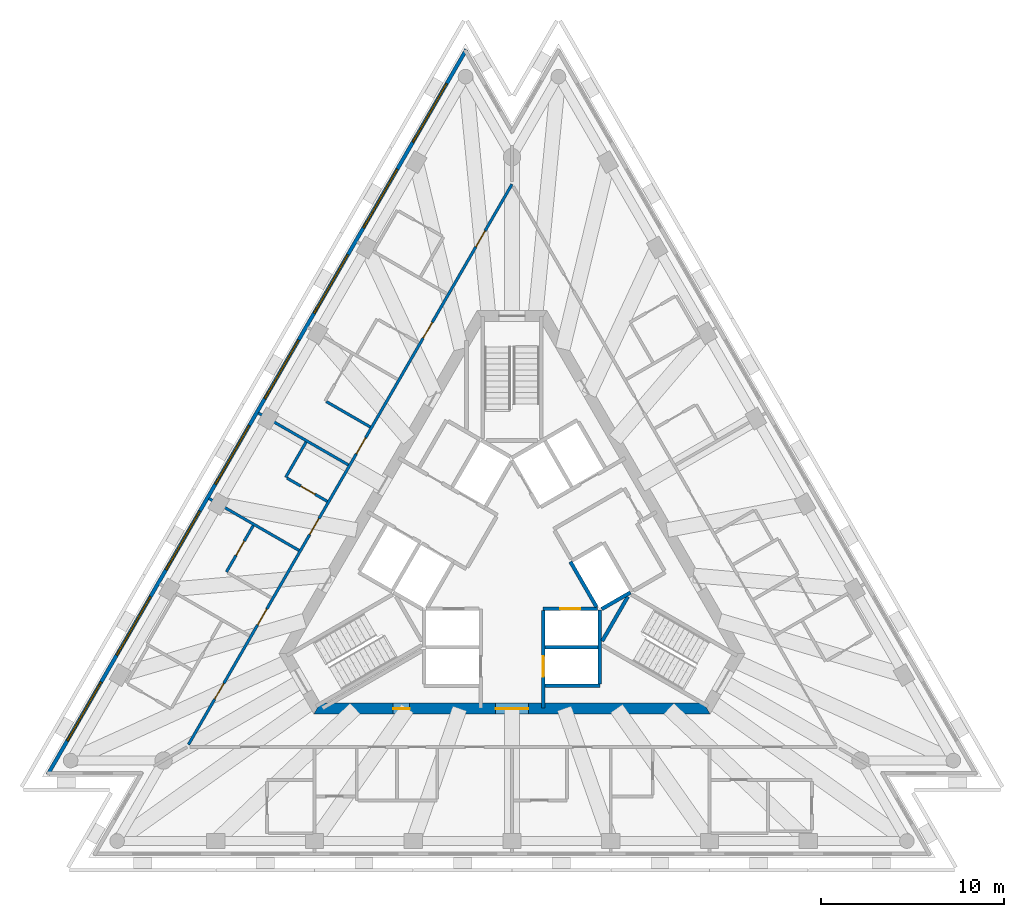
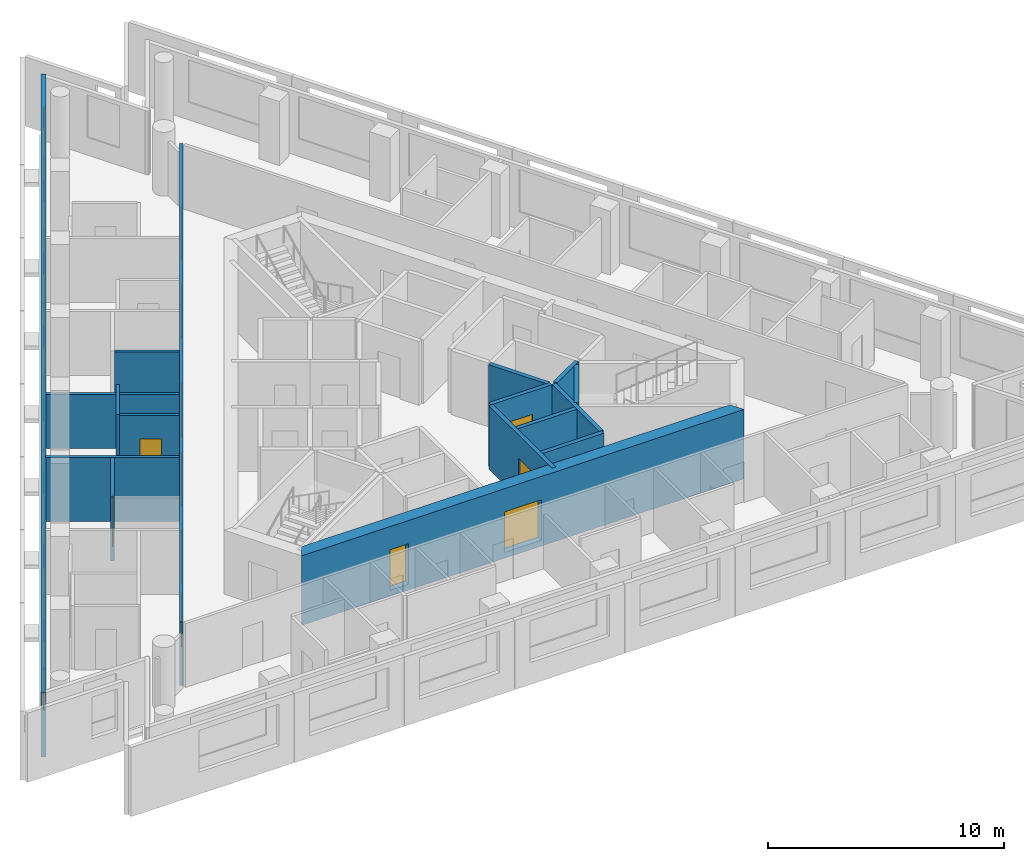
# One storey, part 4 of 10: 17 walls, 12 doors, 8 windows, 20 openings.
"""IFC4 building model written with IfcOpenShell, lengths in metres."""

from ifc_helpers import new_model, si_unit, direction, frame, frame_2d, origin, place, context, subcontext, project, spatial, polyline, rectangle, outline, extrude, material, layer, layer_set, layer_usage, type_object, element, fill, save


model = new_model("IFC4")

# Units and contexts
model_context = context("Model", 3, precision=1e-05, world=origin(), true_north=direction((0.0, 1.0)))
body_context = subcontext(model_context, "Body", "Model", "MODEL_VIEW")
ifc_project = project(units=[si_unit("LENGTHUNIT", "METRE"), si_unit("AREAUNIT", "SQUARE_METRE"), si_unit("VOLUMEUNIT", "CUBIC_METRE"), si_unit("PLANEANGLEUNIT", "RADIAN"), si_unit("MASSUNIT", "GRAM", prefix="KILO")], contexts=[model_context])

# Site, building, storey
site_placement = place(None, origin())
site = spatial("IfcSite", under=ifc_project, at=site_placement, CompositionType="ELEMENT")
building_placement = place(site_placement, origin())
building = spatial("IfcBuilding", under=site, at=building_placement, Name="Triada Interchange Tower", CompositionType="ELEMENT")
storey_placement = place(building_placement, frame((0.0, 0.0, 289.89990234375)))
storey = spatial("IfcBuildingStorey", under=building, at=storey_placement, Name="L68", CompositionType="ELEMENT", Elevation=289.89990234375)

# Walls
ifc_material_1 = material(Name="Concrete C30/37", Category="concrete")
ifc_layer_1 = layer(ifc_material_1, 0.199951171875)
ifc_layer_set_1 = layer_set([ifc_layer_1], Name="CORE WALL 200 EI 120")
wall_type_1 = type_object("IfcWallType", Name="CORE WALL 200 EI 120", PredefinedType="SOLIDWALL", material=ifc_layer_set_1)
wall_1_placement = place(storey_placement, frame((1.800048828125, -6.89990234375, 0.0), z_axis=(0.0, 0.0, 1.0), x_axis=(1.0, 0.0, 0.0)))
element("IfcWall", 1, at=wall_1_placement, inside=storey, type_object=wall_type_1, Name="Wall L68 69", PredefinedType="SOLIDWALL", context=body_context, shape_type="SweptSolid", body=[
    extrude(rectangle(XDim=3.0, YDim=0.199951171875, at=frame_2d((1.5, 0.0))), origin(), (0.0, 0.0, 1.0), 3.300048828125),
])
wall_2_placement = place(storey_placement, frame((1.800048828125, -4.800048828125, 0.0), z_axis=(0.0, 0.0, 1.0), x_axis=(1.0, 0.0, 0.0)))
element("IfcWall", 2, at=wall_2_placement, inside=storey, type_object=wall_type_1, Name="Wall L68 73", PredefinedType="SOLIDWALL", context=body_context, shape_type="SweptSolid", body=[
    extrude(rectangle(XDim=2.89990234375, YDim=0.199951171875, at=frame_2d((1.449951171875, 0.0))), origin(), (0.0, 0.0, 1.0), 3.300048828125),
])

# Wall, opening, door
wall_3_placement = place(storey_placement, frame((1.702880859375, -2.699951171875, 0.0), z_axis=(0.0, 0.0, 1.0), x_axis=(1.0, 0.0, 0.0)))
wall_3 = element("IfcWall", 3, at=wall_3_placement, inside=storey, type_object=wall_type_1, Name="Wall L68 76", PredefinedType="SOLIDWALL", context=body_context, shape_type="SweptSolid", body=[
    extrude(rectangle(XDim=2.97314453125, YDim=0.199951171875, at=frame_2d((1.486572265625, 0.0))), origin(), (0.0, 0.0, 1.0), 3.300048828125),
])
opening_1_placement = place(wall_3_placement, frame((0.93603515625, 0.0, 0.0)))
opening_1 = element("IfcOpeningElement", 4, at=opening_1_placement, cuts=wall_3, Name="Opening LD-HR1", PredefinedType="OPENING", context=body_context, shape_type="SweptSolid", body=[
    extrude(rectangle(XDim=1.10009765625, YDim=2.10009765625, at=frame_2d((0.550048828125, 1.050048828125))), frame((0.0, 0.10986328125, 0.0), z_axis=(0.0, -1.0, 0.0), x_axis=(1.0, 0.0, 0.0)), (0.0, 0.0, 1.0), 0.219970703125),
])
ifc_material_2 = material(Name="Steel S235 door leaf", Category="steel")
door_type_1 = type_object("IfcDoorType", Name="LIFT LANDING DOOR 1100 EI 120", OperationType="SLIDING_TO_LEFT", PredefinedType="DOOR", material=ifc_material_2)
door_1_placement = place(opening_1_placement, origin())
door_1 = element("IfcDoor", 5, at=door_1_placement, inside=storey, type_object=door_type_1, Name="HR1 landing door L68", OperationType="SLIDING_TO_LEFT", OverallHeight=2.10009765625, OverallWidth=1.10009765625, PredefinedType="DOOR", context=body_context, shape_type="SweptSolid", body=[
    extrude(rectangle(XDim=1.10009765625, YDim=2.10009765625, at=frame_2d((0.550048828125, 1.050048828125))), frame((0.0, 0.02490234375, 0.0), z_axis=(0.0, -1.0, 0.0), x_axis=(1.0, 0.0, 0.0)), (0.0, 0.0, 1.0), 0.050048828125),
])
fill(opening_1, door_1)

# Wall
wall_4_placement = place(storey_placement, frame((3.18994140625, -0.125, 0.0), z_axis=(0.0, 0.0, 1.0), x_axis=(0.499988658015, -0.866031951983, 0.0)))
element("IfcWall", 6, at=wall_4_placement, inside=storey, type_object=wall_type_1, Name="Wall L68 79", PredefinedType="SOLIDWALL", context=body_context, shape_type="SweptSolid", body=[
    extrude(rectangle(XDim=2.85791015625, YDim=0.199951171875, at=frame_2d((1.428955078125, 0.0))), origin(), (0.0, 0.0, 1.0), 3.300048828125),
])

# Wall, opening, door
wall_5_placement = place(storey_placement, frame((1.699951171875, -8.1298828125, 0.0), z_axis=(0.0, 0.0, 1.0), x_axis=(0.0, 1.0, 0.0)))
wall_5 = element("IfcWall", 7, at=wall_5_placement, inside=storey, type_object=wall_type_1, Name="Wall L68 81", PredefinedType="SOLIDWALL", context=body_context, shape_type="SweptSolid", body=[
    extrude(rectangle(XDim=5.326904296875, YDim=0.199951171875, at=frame_2d((2.66357421875, 0.0))), origin(), (0.0, 0.0, 1.0), 3.300048828125),
])
opening_2_placement = place(wall_5_placement, frame((1.72998046875, 0.0, 0.0)))
opening_2 = element("IfcOpeningElement", 8, at=opening_2_placement, cuts=wall_5, Name="Opening LD-HR2", PredefinedType="OPENING", context=body_context, shape_type="SweptSolid", body=[
    extrude(rectangle(XDim=1.10009765625, YDim=2.10009765625, at=frame_2d((0.550048828125, 1.050048828125))), frame((0.0, 0.10986328125, 0.0), z_axis=(0.0, -1.0, 0.0), x_axis=(1.0, 0.0, 0.0)), (0.0, 0.0, 1.0), 0.219970703125),
])
door_2_placement = place(opening_2_placement, origin())
door_2 = element("IfcDoor", 9, at=door_2_placement, inside=storey, type_object=door_type_1, Name="HR2 landing door L68", OperationType="SLIDING_TO_LEFT", OverallHeight=2.10009765625, OverallWidth=1.10009765625, PredefinedType="DOOR", context=body_context, shape_type="SweptSolid", body=[
    extrude(rectangle(XDim=1.10009765625, YDim=2.10009765625, at=frame_2d((0.550048828125, 1.050048828125))), frame((0.0, 0.02490234375, 0.0), z_axis=(0.0, -1.0, 0.0), x_axis=(1.0, 0.0, 0.0)), (0.0, 0.0, 1.0), 0.050048828125),
])
fill(opening_2, door_2)

# Walls
wall_6_placement = place(storey_placement, frame((4.800048828125, -6.800048828125, 0.0), z_axis=(0.0, 0.0, 1.0), x_axis=(0.0, 1.0, 0.0)))
element("IfcWall", 10, at=wall_6_placement, inside=storey, type_object=wall_type_1, Name="Wall L68 82", PredefinedType="SOLIDWALL", context=body_context, shape_type="SweptSolid", body=[
    extrude(rectangle(XDim=4.029052734375, YDim=0.199951171875, at=frame_2d((2.0146484375, 0.0))), origin(), (0.0, 0.0, 1.0), 3.300048828125),
])
wall_7_placement = place(storey_placement, frame((4.89990234375, -2.714111328125, 0.0), z_axis=(0.0, 0.0, 1.0), x_axis=(0.865846928409, 0.500309001083, 0.0)))
element("IfcWall", 11, at=wall_7_placement, inside=storey, type_object=wall_type_1, Name="Wall L68 91", PredefinedType="SOLIDWALL", context=body_context, shape_type="SweptSolid", body=[
    extrude(rectangle(XDim=1.813232421875, YDim=0.199951171875, at=frame_2d((0.90673828125, 0.0))), origin(), (0.0, 0.0, 1.0), 3.300048828125),
])
ifc_layer_2 = layer(ifc_material_1, 0.199951171875)
ifc_layer_set_2 = layer_set([ifc_layer_2], Name="CORE WALL 200 REI 240")
wall_type_2 = type_object("IfcWallType", Name="CORE WALL 200 REI 240", PredefinedType="SOLIDWALL", material=ifc_layer_set_2)
wall_8_placement = place(storey_placement, frame((4.928955078125, -4.4619140625, 0.0), z_axis=(0.0, 0.0, 1.0), x_axis=(0.500200581029, 0.865909567298, 0.0)))
element("IfcWall", 12, at=wall_8_placement, inside=storey, type_object=wall_type_2, Name="Wall L68 119", PredefinedType="SOLIDWALL", context=body_context, shape_type="SweptSolid", body=[
    extrude(rectangle(XDim=2.799072265625, YDim=0.199951171875, at=frame_2d((1.3994140625, 0.0))), origin(), (0.0, 0.0, 1.0), 3.300048828125),
])

# Wall, openings, doors
ifc_material_3 = material(Name="Concrete C40/50", Category="concrete")
ifc_layer_3 = layer(ifc_material_3, 0.60009765625)
ifc_layer_set_3 = layer_set([ifc_layer_3], Name="Core wall D 600")
wall_type_3 = type_object("IfcWallType", Name="Core wall D 600", PredefinedType="SHEAR", material=ifc_layer_set_3)
wall_9_placement = place(storey_placement, frame((-10.652099609375, -8.14990234375, -0.2998046875), z_axis=(0.0, 0.0, 1.0), x_axis=(1.0, 0.0, 0.0)))
wall_9 = element("IfcWall", 13, at=wall_9_placement, inside=storey, type_object=wall_type_3, Name="Core wall WD04 L68", PredefinedType="SHEAR", context=body_context, shape_type="SweptSolid", body=[
    extrude(outline(polyline([(-0.173095703125, -0.300048828125), (1.795166015625, -0.300048828125), (3.76318359375, -0.300048828125), (5.7314453125, -0.300048828125), (7.69970703125, -0.300048828125), (9.66796875, -0.300048828125), (11.635986328125, -0.300048828125), (13.604248046875, -0.300048828125), (15.572509765625, -0.300048828125), (17.540771484375, -0.300048828125), (19.5087890625, -0.300048828125), (21.47705078125, -0.300048828125), (21.131103515625, 0.300048828125), (19.225830078125, 0.300048828125), (17.320556640625, 0.300048828125), (15.415283203125, 0.300048828125), (13.510009765625, 0.300048828125), (11.604736328125, 0.300048828125), (9.699462890625, 0.300048828125), (7.794189453125, 0.300048828125), (5.888916015625, 0.300048828125), (3.983642578125, 0.300048828125), (2.078369140625, 0.300048828125), (0.173095703125, 0.300048828125), (-0.173095703125, -0.300048828125)])), origin(), (0.0, 0.0, 1.0), 3.599853515625),
])
opening_3_placement = place(wall_9_placement, frame((9.751953125, 0.0, 0.300048828125)))
opening_3 = element("IfcOpeningElement", 14, at=opening_3_placement, cuts=wall_9, Name="Opening D68-47", PredefinedType="OPENING", context=body_context, shape_type="SweptSolid", body=[
    extrude(rectangle(XDim=1.800048828125, YDim=2.10009765625, at=frame_2d((0.89990234375, 1.050048828125))), frame((0.0, 0.31005859375, 0.0), z_axis=(0.0, -1.0, 0.0), x_axis=(1.0, 0.0, 0.0)), (0.0, 0.0, 1.0), 0.6201171875),
])
opening_4_placement = place(wall_9_placement, frame((4.156005859375, 0.0, 0.300048828125)))
opening_4 = element("IfcOpeningElement", 15, at=opening_4_placement, cuts=wall_9, Name="Opening D68-53", PredefinedType="OPENING", context=body_context, shape_type="SweptSolid", body=[
    extrude(rectangle(XDim=0.89990234375, YDim=2.10009765625, at=frame_2d((0.449951171875, 1.050048828125))), frame((0.0, 0.31005859375, 0.0), z_axis=(0.0, -1.0, 0.0), x_axis=(1.0, 0.0, 0.0)), (0.0, 0.0, 1.0), 0.6201171875),
])
door_type_2 = type_object("IfcDoorType", Name="LOBBY DOOR 1800 EI2 90-C5S200", OperationType="DOUBLE_DOOR_SINGLE_SWING", PredefinedType="DOOR", material=ifc_material_2)
door_3_placement = place(opening_3_placement, origin())
door_3 = element("IfcDoor", 16, at=door_3_placement, inside=storey, type_object=door_type_2, Name="Door D68-47 L68", OperationType="DOUBLE_DOOR_SINGLE_SWING", OverallHeight=2.10009765625, OverallWidth=1.800048828125, PredefinedType="DOOR", context=body_context, shape_type="SweptSolid", body=[
    extrude(rectangle(XDim=1.800048828125, YDim=2.10009765625, at=frame_2d((0.89990234375, 1.050048828125))), frame((0.0, 0.02490234375, 0.0), z_axis=(0.0, -1.0, 0.0), x_axis=(1.0, 0.0, 0.0)), (0.0, 0.0, 1.0), 0.050048828125),
])
fill(opening_3, door_3)
door_type_3 = type_object("IfcDoorType", Name="SERVICE DOOR 900 EI2 45-C5S200", OperationType="NOTDEFINED", PredefinedType="DOOR", material=ifc_material_2)
door_4_placement = place(opening_4_placement, origin())
door_4 = element("IfcDoor", 17, at=door_4_placement, inside=storey, type_object=door_type_3, Name="Door D68-53 L68", OperationType="SINGLE_SWING_RIGHT", OverallHeight=2.10009765625, OverallWidth=0.89990234375, PredefinedType="DOOR", context=body_context, shape_type="SweptSolid", body=[
    extrude(rectangle(XDim=0.89990234375, YDim=2.10009765625, at=frame_2d((0.449951171875, 1.050048828125))), frame((0.0, 0.02490234375, 0.0), z_axis=(0.0, -1.0, 0.0), x_axis=(1.0, 0.0, 0.0)), (0.0, 0.0, 1.0), 0.050048828125),
])
fill(opening_4, door_4)

# Wall, openings, windows
ifc_material_4 = material(Name="Cement board")
ifc_layer_4 = layer(ifc_material_4, 0.02001953125, Name="Cement board cladding")
ifc_material_5 = material(Name="Sheathing board")
ifc_layer_5 = layer(ifc_material_5, 0.014892578125, Name="Sheathing board")
ifc_material_6 = material(Name="Mineral wool")
ifc_layer_6 = layer(ifc_material_6, 0.14990234375, Name="Mineral wool between steel studs")
ifc_material_7 = material(Name="Gypsum board")
ifc_layer_7 = layer(ifc_material_7, 0.014892578125, Name="Plasterboard lining")
ifc_layer_set_4 = layer_set([ifc_layer_4, ifc_layer_5, ifc_layer_6, ifc_layer_7], Name="External wall 200")
ifc_layer_usage = layer_usage(ifc_layer_set_4, "AXIS2", "POSITIVE", -0.10009765625)
wall_type_4 = type_object("IfcWallType", Name="External wall 200", PredefinedType="ELEMENTEDWALL", material=ifc_layer_set_4)
wall_10_placement = place(storey_placement, frame((-2.493896484375, 27.860107421875, 0.0), z_axis=(0.0, 0.0, 1.0), x_axis=(-0.500008134474, -0.866020707292, 0.0)))
wall_10 = element("IfcWall", 18, at=wall_10_placement, inside=storey, type_object=wall_type_4, material=ifc_layer_usage, Name="External wall L68 NW", PredefinedType="ELEMENTEDWALL", context=body_context, shape_type="SweptSolid", body=[
    extrude(rectangle(XDim=45.741455078125, YDim=0.199951171875, at=frame_2d((22.87060546875, 0.0))), origin(), (0.0, 0.0, 1.0), 3.300048828125),
])
opening_5_placement = place(wall_10_placement, frame((2.14990234375, 0.0, 0.89990234375)))
opening_5 = element("IfcOpeningElement", 19, at=opening_5_placement, cuts=wall_10, Name="Opening WD01", PredefinedType="OPENING", context=body_context, shape_type="SweptSolid", body=[
    extrude(rectangle(XDim=3.699951171875, YDim=2.199951171875, at=frame_2d((1.85009765625, 1.10009765625))), frame((0.0, 0.10986328125, 0.0), z_axis=(0.0, -1.0, 0.0), x_axis=(1.0, 0.0, 0.0)), (0.0, 0.0, 1.0), 0.219970703125),
])
opening_6_placement = place(wall_10_placement, frame((7.5439453125, 0.0, 0.89990234375)))
opening_6 = element("IfcOpeningElement", 20, at=opening_6_placement, cuts=wall_10, Name="Opening WD02", PredefinedType="OPENING", context=body_context, shape_type="SweptSolid", body=[
    extrude(rectangle(XDim=3.699951171875, YDim=2.199951171875, at=frame_2d((1.85009765625, 1.10009765625))), frame((0.0, 0.10986328125, 0.0), z_axis=(0.0, -1.0, 0.0), x_axis=(1.0, 0.0, 0.0)), (0.0, 0.0, 1.0), 0.219970703125),
])
opening_7_placement = place(wall_10_placement, frame((12.93896484375, 0.0, 0.89990234375)))
opening_7 = element("IfcOpeningElement", 21, at=opening_7_placement, cuts=wall_10, Name="Opening WD03", PredefinedType="OPENING", context=body_context, shape_type="SweptSolid", body=[
    extrude(rectangle(XDim=3.699951171875, YDim=2.199951171875, at=frame_2d((1.85009765625, 1.10009765625))), frame((0.0, 0.10986328125, 0.0), z_axis=(0.0, -1.0, 0.0), x_axis=(1.0, 0.0, 0.0)), (0.0, 0.0, 1.0), 0.219970703125),
])
opening_8_placement = place(wall_10_placement, frame((18.3330078125, 0.0, 0.89990234375)))
opening_8 = element("IfcOpeningElement", 22, at=opening_8_placement, cuts=wall_10, Name="Opening WD04", PredefinedType="OPENING", context=body_context, shape_type="SweptSolid", body=[
    extrude(rectangle(XDim=3.699951171875, YDim=2.199951171875, at=frame_2d((1.85009765625, 1.10009765625))), frame((0.0, 0.10986328125, 0.0), z_axis=(0.0, -1.0, 0.0), x_axis=(1.0, 0.0, 0.0)), (0.0, 0.0, 1.0), 0.219970703125),
])
opening_9_placement = place(wall_10_placement, frame((23.72802734375, 0.0, 0.89990234375)))
opening_9 = element("IfcOpeningElement", 23, at=opening_9_placement, cuts=wall_10, Name="Opening WD05", PredefinedType="OPENING", context=body_context, shape_type="SweptSolid", body=[
    extrude(rectangle(XDim=3.699951171875, YDim=2.199951171875, at=frame_2d((1.85009765625, 1.10009765625))), frame((0.0, 0.10986328125, 0.0), z_axis=(0.0, -1.0, 0.0), x_axis=(1.0, 0.0, 0.0)), (0.0, 0.0, 1.0), 0.219970703125),
])
opening_10_placement = place(wall_10_placement, frame((29.1220703125, 0.0, 0.89990234375)))
opening_10 = element("IfcOpeningElement", 24, at=opening_10_placement, cuts=wall_10, Name="Opening WD06", PredefinedType="OPENING", context=body_context, shape_type="SweptSolid", body=[
    extrude(rectangle(XDim=3.699951171875, YDim=2.199951171875, at=frame_2d((1.85009765625, 1.10009765625))), frame((0.0, 0.10986328125, 0.0), z_axis=(0.0, -1.0, 0.0), x_axis=(1.0, 0.0, 0.0)), (0.0, 0.0, 1.0), 0.219970703125),
])
opening_11_placement = place(wall_10_placement, frame((34.51708984375, 0.0, 0.89990234375)))
opening_11 = element("IfcOpeningElement", 25, at=opening_11_placement, cuts=wall_10, Name="Opening WD07", PredefinedType="OPENING", context=body_context, shape_type="SweptSolid", body=[
    extrude(rectangle(XDim=3.699951171875, YDim=2.199951171875, at=frame_2d((1.85009765625, 1.10009765625))), frame((0.0, 0.10986328125, 0.0), z_axis=(0.0, -1.0, 0.0), x_axis=(1.0, 0.0, 0.0)), (0.0, 0.0, 1.0), 0.219970703125),
])
opening_12_placement = place(wall_10_placement, frame((39.910888671875, 0.0, 0.89990234375)))
opening_12 = element("IfcOpeningElement", 26, at=opening_12_placement, cuts=wall_10, Name="Opening WD08", PredefinedType="OPENING", context=body_context, shape_type="SweptSolid", body=[
    extrude(rectangle(XDim=3.699951171875, YDim=2.199951171875, at=frame_2d((1.85009765625, 1.10009765625))), frame((0.0, 0.10986328125, 0.0), z_axis=(0.0, -1.0, 0.0), x_axis=(1.0, 0.0, 0.0)), (0.0, 0.0, 1.0), 0.219970703125),
])
ifc_material_8 = material(Name="Double glazed aluminium window", Category="aluminium")
window_type = type_object("IfcWindowType", Name="Ribbon window D face", PartitioningType="SINGLE_PANEL", PredefinedType="WINDOW", material=ifc_material_8)
window_1_placement = place(opening_5_placement, origin())
window_1 = element("IfcWindow", 27, at=window_1_placement, inside=storey, type_object=window_type, Name="Window L68 NW 1", OverallHeight=2.199951171875, OverallWidth=3.699951171875, PartitioningType="SINGLE_PANEL", PredefinedType="WINDOW", context=body_context, shape_type="SweptSolid", body=[
    extrude(rectangle(XDim=3.699951171875, YDim=2.199951171875, at=frame_2d((1.85009765625, 1.10009765625))), frame((0.0, 0.030029296875, 0.0), z_axis=(0.0, -1.0, 0.0), x_axis=(1.0, 0.0, 0.0)), (0.0, 0.0, 1.0), 0.06005859375),
])
fill(opening_5, window_1)
window_2_placement = place(opening_6_placement, origin())
window_2 = element("IfcWindow", 28, at=window_2_placement, inside=storey, type_object=window_type, Name="Window L68 NW 2", OverallHeight=2.199951171875, OverallWidth=3.699951171875, PartitioningType="SINGLE_PANEL", PredefinedType="WINDOW", context=body_context, shape_type="SweptSolid", body=[
    extrude(rectangle(XDim=3.699951171875, YDim=2.199951171875, at=frame_2d((1.85009765625, 1.10009765625))), frame((0.0, 0.030029296875, 0.0), z_axis=(0.0, -1.0, 0.0), x_axis=(1.0, 0.0, 0.0)), (0.0, 0.0, 1.0), 0.06005859375),
])
fill(opening_6, window_2)
window_3_placement = place(opening_7_placement, origin())
window_3 = element("IfcWindow", 29, at=window_3_placement, inside=storey, type_object=window_type, Name="Window L68 NW 3", OverallHeight=2.199951171875, OverallWidth=3.699951171875, PartitioningType="SINGLE_PANEL", PredefinedType="WINDOW", context=body_context, shape_type="SweptSolid", body=[
    extrude(rectangle(XDim=3.699951171875, YDim=2.199951171875, at=frame_2d((1.85009765625, 1.10009765625))), frame((0.0, 0.030029296875, 0.0), z_axis=(0.0, -1.0, 0.0), x_axis=(1.0, 0.0, 0.0)), (0.0, 0.0, 1.0), 0.06005859375),
])
fill(opening_7, window_3)
window_4_placement = place(opening_8_placement, origin())
window_4 = element("IfcWindow", 30, at=window_4_placement, inside=storey, type_object=window_type, Name="Window L68 NW 4", OverallHeight=2.199951171875, OverallWidth=3.699951171875, PartitioningType="SINGLE_PANEL", PredefinedType="WINDOW", context=body_context, shape_type="SweptSolid", body=[
    extrude(rectangle(XDim=3.699951171875, YDim=2.199951171875, at=frame_2d((1.85009765625, 1.10009765625))), frame((0.0, 0.030029296875, 0.0), z_axis=(0.0, -1.0, 0.0), x_axis=(1.0, 0.0, 0.0)), (0.0, 0.0, 1.0), 0.06005859375),
])
fill(opening_8, window_4)
window_5_placement = place(opening_9_placement, origin())
window_5 = element("IfcWindow", 31, at=window_5_placement, inside=storey, type_object=window_type, Name="Window L68 NW 5", OverallHeight=2.199951171875, OverallWidth=3.699951171875, PartitioningType="SINGLE_PANEL", PredefinedType="WINDOW", context=body_context, shape_type="SweptSolid", body=[
    extrude(rectangle(XDim=3.699951171875, YDim=2.199951171875, at=frame_2d((1.85009765625, 1.10009765625))), frame((0.0, 0.030029296875, 0.0), z_axis=(0.0, -1.0, 0.0), x_axis=(1.0, 0.0, 0.0)), (0.0, 0.0, 1.0), 0.06005859375),
])
fill(opening_9, window_5)
window_6_placement = place(opening_10_placement, origin())
window_6 = element("IfcWindow", 32, at=window_6_placement, inside=storey, type_object=window_type, Name="Window L68 NW 6", OverallHeight=2.199951171875, OverallWidth=3.699951171875, PartitioningType="SINGLE_PANEL", PredefinedType="WINDOW", context=body_context, shape_type="SweptSolid", body=[
    extrude(rectangle(XDim=3.699951171875, YDim=2.199951171875, at=frame_2d((1.85009765625, 1.10009765625))), frame((0.0, 0.030029296875, 0.0), z_axis=(0.0, -1.0, 0.0), x_axis=(1.0, 0.0, 0.0)), (0.0, 0.0, 1.0), 0.06005859375),
])
fill(opening_10, window_6)
window_7_placement = place(opening_11_placement, origin())
window_7 = element("IfcWindow", 33, at=window_7_placement, inside=storey, type_object=window_type, Name="Window L68 NW 7", OverallHeight=2.199951171875, OverallWidth=3.699951171875, PartitioningType="SINGLE_PANEL", PredefinedType="WINDOW", context=body_context, shape_type="SweptSolid", body=[
    extrude(rectangle(XDim=3.699951171875, YDim=2.199951171875, at=frame_2d((1.85009765625, 1.10009765625))), frame((0.0, 0.030029296875, 0.0), z_axis=(0.0, -1.0, 0.0), x_axis=(1.0, 0.0, 0.0)), (0.0, 0.0, 1.0), 0.06005859375),
])
fill(opening_11, window_7)
window_8_placement = place(opening_12_placement, origin())
window_8 = element("IfcWindow", 34, at=window_8_placement, inside=storey, type_object=window_type, Name="Window L68 NW 8", OverallHeight=2.199951171875, OverallWidth=3.699951171875, PartitioningType="SINGLE_PANEL", PredefinedType="WINDOW", context=body_context, shape_type="SweptSolid", body=[
    extrude(rectangle(XDim=3.699951171875, YDim=2.199951171875, at=frame_2d((1.85009765625, 1.10009765625))), frame((0.0, 0.030029296875, 0.0), z_axis=(0.0, -1.0, 0.0), x_axis=(1.0, 0.0, 0.0)), (0.0, 0.0, 1.0), 0.06005859375),
])
fill(opening_12, window_8)

# Wall, openings, doors
ifc_material_9 = material(Name="Gypsum board partition")
ifc_layer_8 = layer(ifc_material_9, 0.14990234375)
ifc_layer_set_5 = layer_set([ifc_layer_8], Name="PARTITION 150 EI 180")
wall_type_5 = type_object("IfcWallType", Name="PARTITION 150 EI 180", PredefinedType="PARTITIONING", material=ifc_layer_set_5)
wall_11_placement = place(storey_placement, frame((-17.678955078125, -10.1201171875, 0.0), z_axis=(0.0, 0.0, 1.0), x_axis=(0.500008955215, 0.866020233427, 0.0)))
wall_11 = element("IfcWall", 35, at=wall_11_placement, inside=storey, type_object=wall_type_5, Name="Wall L68 5", PredefinedType="PARTITIONING", context=body_context, shape_type="SweptSolid", body=[
    extrude(rectangle(XDim=35.357177734375, YDim=0.14990234375, at=frame_2d((17.6787109375, 0.0))), origin(), (0.0, 0.0, 1.0), 3.300048828125),
])
opening_13_placement = place(wall_11_placement, frame((31.406982421875, 0.0, 0.0)))
opening_13 = element("IfcOpeningElement", 36, at=opening_13_placement, cuts=wall_11, Name="Opening D68-34", PredefinedType="OPENING", context=body_context, shape_type="SweptSolid", body=[
    extrude(rectangle(XDim=1.0, YDim=2.10009765625, at=frame_2d((0.5, 1.050048828125))), frame((0.0, 0.0849609375, 0.0), z_axis=(0.0, -1.0, 0.0), x_axis=(1.0, 0.0, 0.0)), (0.0, 0.0, 1.0), 0.169921875),
])
opening_14_placement = place(wall_11_placement, frame((25.64208984375, 0.0, 0.0)))
opening_14 = element("IfcOpeningElement", 37, at=opening_14_placement, cuts=wall_11, Name="Opening D68-36", PredefinedType="OPENING", context=body_context, shape_type="SweptSolid", body=[
    extrude(rectangle(XDim=1.0, YDim=2.10009765625, at=frame_2d((0.5, 1.050048828125))), frame((0.0, 0.0849609375, 0.0), z_axis=(0.0, -1.0, 0.0), x_axis=(1.0, 0.0, 0.0)), (0.0, 0.0, 1.0), 0.169921875),
])
opening_15_placement = place(wall_11_placement, frame((18.347900390625, 0.0, 0.0)))
opening_15 = element("IfcOpeningElement", 38, at=opening_15_placement, cuts=wall_11, Name="Opening D68-38", PredefinedType="OPENING", context=body_context, shape_type="SweptSolid", body=[
    extrude(rectangle(XDim=1.0, YDim=2.10009765625, at=frame_2d((0.5, 1.050048828125))), frame((0.0, 0.0849609375, 0.0), z_axis=(0.0, -1.0, 0.0), x_axis=(1.0, 0.0, 0.0)), (0.0, 0.0, 1.0), 0.169921875),
])
opening_16_placement = place(wall_11_placement, frame((13.25390625, 0.0, 0.0)))
opening_16 = element("IfcOpeningElement", 39, at=opening_16_placement, cuts=wall_11, Name="Opening D68-40", PredefinedType="OPENING", context=body_context, shape_type="SweptSolid", body=[
    extrude(rectangle(XDim=1.0, YDim=2.10009765625, at=frame_2d((0.5, 1.050048828125))), frame((0.0, 0.0849609375, 0.0), z_axis=(0.0, -1.0, 0.0), x_axis=(1.0, 0.0, 0.0)), (0.0, 0.0, 1.0), 0.169921875),
])
opening_17_placement = place(wall_11_placement, frame((7.55908203125, 0.0, 0.0)))
opening_17 = element("IfcOpeningElement", 40, at=opening_17_placement, cuts=wall_11, Name="Opening D68-42", PredefinedType="OPENING", context=body_context, shape_type="SweptSolid", body=[
    extrude(rectangle(XDim=1.0, YDim=2.10009765625, at=frame_2d((0.5, 1.050048828125))), frame((0.0, 0.0849609375, 0.0), z_axis=(0.0, -1.0, 0.0), x_axis=(1.0, 0.0, 0.0)), (0.0, 0.0, 1.0), 0.169921875),
])
opening_18_placement = place(wall_11_placement, frame((2.864990234375, 0.0, 0.0)))
opening_18 = element("IfcOpeningElement", 41, at=opening_18_placement, cuts=wall_11, Name="Opening D68-44", PredefinedType="OPENING", context=body_context, shape_type="SweptSolid", body=[
    extrude(rectangle(XDim=1.0, YDim=2.10009765625, at=frame_2d((0.5, 1.050048828125))), frame((0.0, 0.0849609375, 0.0), z_axis=(0.0, -1.0, 0.0), x_axis=(1.0, 0.0, 0.0)), (0.0, 0.0, 1.0), 0.169921875),
])
door_type_4 = type_object("IfcDoorType", Name="GUEST ROOM DOOR 1000 EI2 90-C5S200", OperationType="NOTDEFINED", PredefinedType="DOOR", material=ifc_material_2)
door_5_placement = place(opening_13_placement, origin())
door_5 = element("IfcDoor", 42, at=door_5_placement, inside=storey, type_object=door_type_4, Name="Door D68-34 L68", OperationType="SINGLE_SWING_RIGHT", OverallHeight=2.10009765625, OverallWidth=1.0, PredefinedType="DOOR", context=body_context, shape_type="SweptSolid", body=[
    extrude(rectangle(XDim=1.0, YDim=2.10009765625, at=frame_2d((0.5, 1.050048828125))), frame((0.0, 0.02490234375, 0.0), z_axis=(0.0, -1.0, 0.0), x_axis=(1.0, 0.0, 0.0)), (0.0, 0.0, 1.0), 0.050048828125),
])
fill(opening_13, door_5)
door_6_placement = place(opening_14_placement, origin())
door_6 = element("IfcDoor", 43, at=door_6_placement, inside=storey, type_object=door_type_4, Name="Door D68-36 L68", OperationType="SINGLE_SWING_RIGHT", OverallHeight=2.10009765625, OverallWidth=1.0, PredefinedType="DOOR", context=body_context, shape_type="SweptSolid", body=[
    extrude(rectangle(XDim=1.0, YDim=2.10009765625, at=frame_2d((0.5, 1.050048828125))), frame((0.0, 0.02490234375, 0.0), z_axis=(0.0, -1.0, 0.0), x_axis=(1.0, 0.0, 0.0)), (0.0, 0.0, 1.0), 0.050048828125),
])
fill(opening_14, door_6)
door_7_placement = place(opening_15_placement, origin())
door_7 = element("IfcDoor", 44, at=door_7_placement, inside=storey, type_object=door_type_4, Name="Door D68-38 L68", OperationType="SINGLE_SWING_LEFT", OverallHeight=2.10009765625, OverallWidth=1.0, PredefinedType="DOOR", context=body_context, shape_type="SweptSolid", body=[
    extrude(rectangle(XDim=1.0, YDim=2.10009765625, at=frame_2d((0.5, 1.050048828125))), frame((0.0, 0.02490234375, 0.0), z_axis=(0.0, -1.0, 0.0), x_axis=(1.0, 0.0, 0.0)), (0.0, 0.0, 1.0), 0.050048828125),
])
fill(opening_15, door_7)
door_8_placement = place(opening_16_placement, origin())
door_8 = element("IfcDoor", 45, at=door_8_placement, inside=storey, type_object=door_type_4, Name="Door D68-40 L68", OperationType="SINGLE_SWING_RIGHT", OverallHeight=2.10009765625, OverallWidth=1.0, PredefinedType="DOOR", context=body_context, shape_type="SweptSolid", body=[
    extrude(rectangle(XDim=1.0, YDim=2.10009765625, at=frame_2d((0.5, 1.050048828125))), frame((0.0, 0.02490234375, 0.0), z_axis=(0.0, -1.0, 0.0), x_axis=(1.0, 0.0, 0.0)), (0.0, 0.0, 1.0), 0.050048828125),
])
fill(opening_16, door_8)
door_9_placement = place(opening_17_placement, origin())
door_9 = element("IfcDoor", 46, at=door_9_placement, inside=storey, type_object=door_type_4, Name="Door D68-42 L68", OperationType="SINGLE_SWING_LEFT", OverallHeight=2.10009765625, OverallWidth=1.0, PredefinedType="DOOR", context=body_context, shape_type="SweptSolid", body=[
    extrude(rectangle(XDim=1.0, YDim=2.10009765625, at=frame_2d((0.5, 1.050048828125))), frame((0.0, 0.02490234375, 0.0), z_axis=(0.0, -1.0, 0.0), x_axis=(1.0, 0.0, 0.0)), (0.0, 0.0, 1.0), 0.050048828125),
])
fill(opening_17, door_9)
door_10_placement = place(opening_18_placement, origin())
door_10 = element("IfcDoor", 47, at=door_10_placement, inside=storey, type_object=door_type_4, Name="Door D68-44 L68", OperationType="SINGLE_SWING_LEFT", OverallHeight=2.10009765625, OverallWidth=1.0, PredefinedType="DOOR", context=body_context, shape_type="SweptSolid", body=[
    extrude(rectangle(XDim=1.0, YDim=2.10009765625, at=frame_2d((0.5, 1.050048828125))), frame((0.0, 0.02490234375, 0.0), z_axis=(0.0, -1.0, 0.0), x_axis=(1.0, 0.0, 0.0)), (0.0, 0.0, 1.0), 0.050048828125),
])
fill(opening_18, door_10)

# Walls
wall_12_placement = place(storey_placement, frame((-16.56201171875, 3.3330078125, 0.0), z_axis=(0.0, 0.0, 1.0), x_axis=(0.866048987239, -0.499959150034, 0.0)))
element("IfcWall", 48, at=wall_12_placement, inside=storey, type_object=wall_type_5, Name="Wall L68 6", PredefinedType="PARTITIONING", context=body_context, shape_type="SweptSolid", body=[
    extrude(rectangle(XDim=5.6845703125, YDim=0.14990234375, at=frame_2d((2.84228515625, 0.0))), origin(), (0.0, 0.0, 1.0), 3.300048828125),
])
wall_13_placement = place(storey_placement, frame((-13.864990234375, 8.0048828125, 0.0), z_axis=(0.0, 0.0, 1.0), x_axis=(0.86606758311, -0.499926936147, 0.0)))
element("IfcWall", 49, at=wall_13_placement, inside=storey, type_object=wall_type_5, Name="Wall L68 7", PredefinedType="PARTITIONING", context=body_context, shape_type="SweptSolid", body=[
    extrude(rectangle(XDim=5.684326171875, YDim=0.14990234375, at=frame_2d((2.84228515625, 0.0))), origin(), (0.0, 0.0, 1.0), 2.800048828125),
])

# Wall, opening, door
ifc_layer_9 = layer(ifc_material_9, 0.14990234375)
ifc_layer_set_6 = layer_set([ifc_layer_9], Name="PARTITION 150 EI 90")
wall_type_6 = type_object("IfcWallType", Name="PARTITION 150 EI 90", PredefinedType="PARTITIONING", material=ifc_layer_set_6)
wall_14_placement = place(storey_placement, frame((-15.60302734375, -0.68505859375, 0.0), z_axis=(0.0, 0.0, 1.0), x_axis=(0.500187211558, 0.865917290158, 0.0)))
wall_14 = element("IfcWall", 50, at=wall_14_placement, inside=storey, type_object=wall_type_6, Name="Wall L68 35", PredefinedType="PARTITIONING", context=body_context, shape_type="SweptSolid", body=[
    extrude(rectangle(XDim=2.92529296875, YDim=0.14990234375, at=frame_2d((1.462646484375, 0.0))), origin(), (0.0, 0.0, 1.0), 3.300048828125),
])
opening_19_placement = place(wall_14_placement, frame((1.050048828125, 0.0, 0.0)))
opening_19 = element("IfcOpeningElement", 51, at=opening_19_placement, cuts=wall_14, Name="Opening D68-43", PredefinedType="OPENING", context=body_context, shape_type="SweptSolid", body=[
    extrude(rectangle(XDim=0.89990234375, YDim=2.10009765625, at=frame_2d((0.449951171875, 1.050048828125))), frame((0.0, 0.0849609375, 0.0), z_axis=(0.0, -1.0, 0.0), x_axis=(1.0, 0.0, 0.0)), (0.0, 0.0, 1.0), 0.169921875),
])
door_type_5 = type_object("IfcDoorType", Name="ROOM DOOR 900 EI2 45-C5S200", OperationType="NOTDEFINED", PredefinedType="DOOR", material=ifc_material_2)
door_11_placement = place(opening_19_placement, origin())
door_11 = element("IfcDoor", 52, at=door_11_placement, inside=storey, type_object=door_type_5, Name="Door D68-43 L68", OperationType="SINGLE_SWING_LEFT", OverallHeight=2.10009765625, OverallWidth=0.89990234375, PredefinedType="DOOR", context=body_context, shape_type="SweptSolid", body=[
    extrude(rectangle(XDim=0.89990234375, YDim=2.10009765625, at=frame_2d((0.449951171875, 1.050048828125))), frame((0.0, 0.02490234375, 0.0), z_axis=(0.0, -1.0, 0.0), x_axis=(1.0, 0.0, 0.0)), (0.0, 0.0, 1.0), 0.050048828125),
])
fill(opening_19, door_11)

# Wall
wall_15_placement = place(storey_placement, frame((-12.364990234375, 4.48291015625, 0.0), z_axis=(0.0, 0.0, 1.0), x_axis=(0.500162441854, 0.865931597621, 0.0)))
element("IfcWall", 53, at=wall_15_placement, inside=storey, type_object=wall_type_6, Name="Wall L68 38", PredefinedType="PARTITIONING", context=body_context, shape_type="SweptSolid", body=[
    extrude(rectangle(XDim=2.225341796875, YDim=0.14990234375, at=frame_2d((1.11279296875, 0.0))), origin(), (0.0, 0.0, 1.0), 3.300048828125),
])

# Wall, opening, door
wall_16_placement = place(storey_placement, frame((-12.300048828125, 4.446044921875, 0.0), z_axis=(0.0, 0.0, 1.0), x_axis=(0.865965520905, -0.500103705848, 0.0)))
wall_16 = element("IfcWall", 54, at=wall_16_placement, inside=storey, type_object=wall_type_6, Name="Wall L68 40", PredefinedType="PARTITIONING", context=body_context, shape_type="SweptSolid", body=[
    extrude(rectangle(XDim=2.5498046875, YDim=0.14990234375, at=frame_2d((1.27490234375, 0.0))), origin(), (0.0, 0.0, 1.0), 3.300048828125),
])
opening_20_placement = place(wall_16_placement, frame((0.875, 0.0, 0.0)))
opening_20 = element("IfcOpeningElement", 55, at=opening_20_placement, cuts=wall_16, Name="Opening D68-41", PredefinedType="OPENING", context=body_context, shape_type="SweptSolid", body=[
    extrude(rectangle(XDim=0.89990234375, YDim=2.10009765625, at=frame_2d((0.449951171875, 1.050048828125))), frame((0.0, 0.0849609375, 0.0), z_axis=(0.0, -1.0, 0.0), x_axis=(1.0, 0.0, 0.0)), (0.0, 0.0, 1.0), 0.169921875),
])
door_12_placement = place(opening_20_placement, origin())
door_12 = element("IfcDoor", 56, at=door_12_placement, inside=storey, type_object=door_type_5, Name="Door D68-41 L68", OperationType="SINGLE_SWING_RIGHT", OverallHeight=2.10009765625, OverallWidth=0.89990234375, PredefinedType="DOOR", context=body_context, shape_type="SweptSolid", body=[
    extrude(rectangle(XDim=0.89990234375, YDim=2.10009765625, at=frame_2d((0.449951171875, 1.050048828125))), frame((0.0, 0.02490234375, 0.0), z_axis=(0.0, -1.0, 0.0), x_axis=(1.0, 0.0, 0.0)), (0.0, 0.0, 1.0), 0.050048828125),
])
fill(opening_20, door_12)

# Wall
wall_17_placement = place(storey_placement, frame((-10.14306640625, 8.62109375, 0.0), z_axis=(0.0, 0.0, 1.0), x_axis=(0.866049104564, -0.499958946799, 0.0)))
element("IfcWall", 57, at=wall_17_placement, inside=storey, type_object=wall_type_6, Name="Wall L68 48", PredefinedType="PARTITIONING", context=body_context, shape_type="SweptSolid", body=[
    extrude(rectangle(XDim=2.770263671875, YDim=0.14990234375, at=frame_2d((1.38525390625, 0.0))), origin(), (0.0, 0.0, 1.0), 3.300048828125),
])

save(model, "model.ifc")
